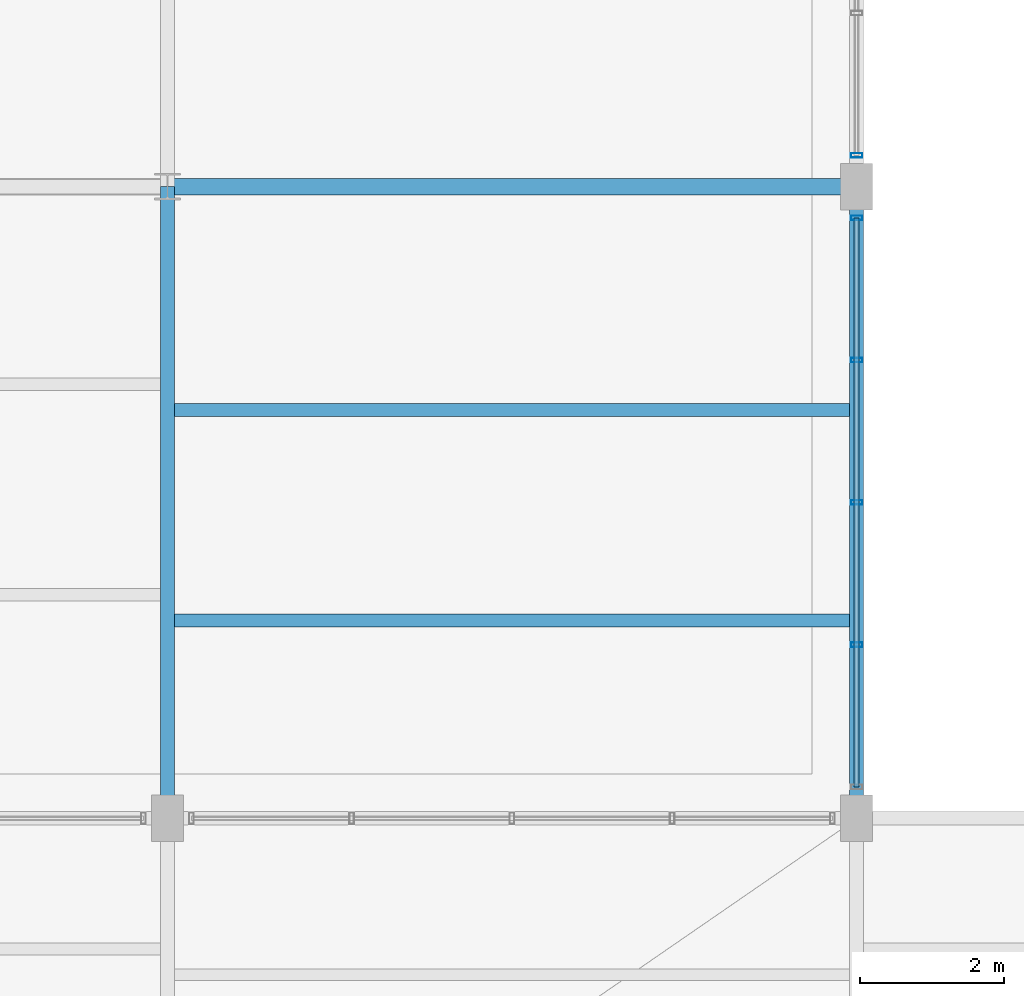
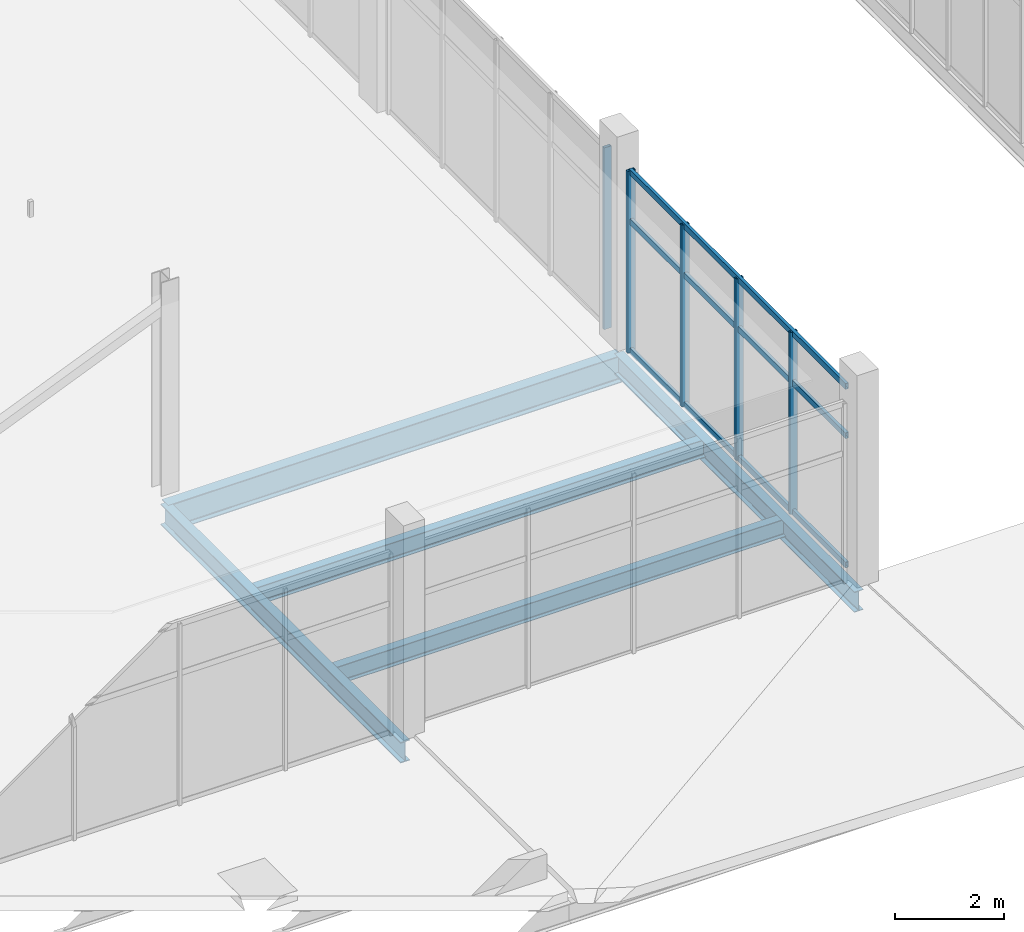
# One storey, part 26 of 157: 8 members, 5 beams, 2 elements without a shape of their own.
"""IFC4 building model written with IfcOpenShell, lengths in metres."""

from ifc_helpers import new_model, si_unit, direction, frame, origin, origin_2d, place, context, subcontext, project, spatial, hollow_rectangle, i_section, extrude, material, layer, layer_set, material_profile, profile_set, type_object, element, aggregate, save


model = new_model("IFC4")

# Units and contexts
model_context = context("Model", 3, precision=1e-05, world=origin(), true_north=direction((0.0, 1.0)))
body_context = subcontext(model_context, "Body", "Model", "MODEL_VIEW")
ifc_project = project(units=[si_unit("LENGTHUNIT", "METRE"), si_unit("AREAUNIT", "SQUARE_METRE"), si_unit("VOLUMEUNIT", "CUBIC_METRE"), si_unit("PLANEANGLEUNIT", "RADIAN"), si_unit("MASSUNIT", "GRAM", prefix="KILO")], contexts=[model_context])

# Site, building, storey
site_placement = place(None, origin())
site = spatial("IfcSite", under=ifc_project, at=site_placement, CompositionType="ELEMENT")
building_placement = place(site_placement, origin())
building = spatial("IfcBuilding", under=site, at=building_placement, Name="Chalmorin Arch Market", CompositionType="ELEMENT")
storey_placement = place(building_placement, frame((0.0, 0.0, 4.800048828125)))
storey = spatial("IfcBuildingStorey", under=building, at=storey_placement, Name="L01", CompositionType="ELEMENT", Elevation=4.800048828125)

# Curtain wall, members
ifc_material_1 = material(Name="Aluminium 6063-T6", Category="aluminium")
ifc_layer = layer(ifc_material_1, 0.159912109375)
ifc_layer_set = layer_set([ifc_layer], Name="Aluminium 6063-T6")
curtain_wall_type = type_object("IfcCurtainWallType", Name="RiverfrontStorefrontCurtainWall-CW2-7930x4070", PredefinedType="NOTDEFINED", material=ifc_layer_set)
curtain_wall_1_placement = place(storey_placement, origin())
curtain_wall_1 = element("IfcCurtainWall", 1, at=curtain_wall_1_placement, inside=storey, type_object=curtain_wall_type, Name="CW-02-098", PredefinedType="NOTDEFINED")
ifc_material_profile_1 = material_profile(ifc_material_1, hollow_rectangle(XDim=0.06494140625, YDim=0.159912109375, WallThickness=0.00390625, at=origin_2d()), Name="ALU65X160X4")
ifc_profile_set_1 = profile_set([ifc_material_profile_1], Name="Aluminium 6063-T6")
member_type_1 = type_object("IfcMemberType", Name="CurtainWallMullion-65x160", PredefinedType="MULLION", material=ifc_profile_set_1)
member_1_placement = place(storey_placement, frame((38.39990234375, 8.41748046875, 0.0), z_axis=(0.0, 0.0, 1.0), x_axis=(0.0, 1.0, 0.0)))
member_1 = element("IfcMember", 2, at=member_1_placement, type_object=member_type_1, Name="ML-098-02", PredefinedType="MULLION", context=body_context, shape_type="SweptSolid", body=[
    extrude(hollow_rectangle(XDim=0.06494140625, YDim=0.159912109375, WallThickness=0.00390625, at=origin_2d()), origin(), (0.0, 0.0, 1.0), 4.06591796875),
])
member_2_placement = place(storey_placement, frame((38.39990234375, 10.39990234375, 0.0), z_axis=(0.0, 0.0, 1.0), x_axis=(0.0, 1.0, 0.0)))
member_2 = element("IfcMember", 3, at=member_2_placement, type_object=member_type_1, Name="ML-098-03", PredefinedType="MULLION", context=body_context, shape_type="SweptSolid", body=[
    extrude(hollow_rectangle(XDim=0.06494140625, YDim=0.159912109375, WallThickness=0.00390625, at=origin_2d()), origin(), (0.0, 0.0, 1.0), 4.06591796875),
])
member_3_placement = place(storey_placement, frame((38.39990234375, 12.382568359375, 0.0), z_axis=(0.0, 0.0, 1.0), x_axis=(0.0, 1.0, 0.0)))
member_3 = element("IfcMember", 4, at=member_3_placement, type_object=member_type_1, Name="ML-098-04", PredefinedType="MULLION", context=body_context, shape_type="SweptSolid", body=[
    extrude(hollow_rectangle(XDim=0.06494140625, YDim=0.159912109375, WallThickness=0.00390625, at=origin_2d()), origin(), (0.0, 0.0, 1.0), 4.06591796875),
])
member_4_placement = place(storey_placement, frame((38.39990234375, 14.364990234375, 0.0), z_axis=(0.0, 0.0, 1.0), x_axis=(0.0, 1.0, 0.0)))
member_4 = element("IfcMember", 5, at=member_4_placement, type_object=member_type_1, Name="ML-098-05", PredefinedType="MULLION", context=body_context, shape_type="SweptSolid", body=[
    extrude(hollow_rectangle(XDim=0.06494140625, YDim=0.159912109375, WallThickness=0.00390625, at=origin_2d()), origin(), (0.0, 0.0, 1.0), 4.06591796875),
])

# Curtain wall, member
curtain_wall_2_placement = place(storey_placement, origin())
curtain_wall_2 = element("IfcCurtainWall", 6, at=curtain_wall_2_placement, inside=storey, type_object=curtain_wall_type, Name="CW-02-099", PredefinedType="NOTDEFINED")
member_5_placement = place(storey_placement, frame((38.39990234375, 15.235107421875, 0.0), z_axis=(0.0, 0.0, 1.0), x_axis=(0.0, 1.0, 0.0)))
member_5 = element("IfcMember", 7, at=member_5_placement, type_object=member_type_1, Name="ML-099-01", PredefinedType="MULLION", context=body_context, shape_type="SweptSolid", body=[
    extrude(hollow_rectangle(XDim=0.06494140625, YDim=0.159912109375, WallThickness=0.00390625, at=origin_2d()), origin(), (0.0, 0.0, 1.0), 4.06591796875),
])
aggregate(curtain_wall_2, [member_5])

# Member
ifc_material_profile_2 = material_profile(ifc_material_1, hollow_rectangle(XDim=0.06494140625, YDim=0.1298828125, WallThickness=0.00390625, at=origin_2d()), Name="ALU65X130X4")
ifc_profile_set_2 = profile_set([ifc_material_profile_2], Name="Aluminium 6063-T6")
member_type_2 = type_object("IfcMemberType", Name="CurtainWallTransom-65x130", PredefinedType="USERDEFINED", material=ifc_profile_set_2)
member_6_placement = place(storey_placement, frame((38.39990234375, 6.43505859375, 0.034912109375), z_axis=(0.0, 1.0, 0.0), x_axis=(-1.0, 0.0, 0.0)))
member_6 = element("IfcMember", 8, at=member_6_placement, type_object=member_type_2, Name="TR-098-01", ObjectType="TRANSOM", PredefinedType="USERDEFINED", context=body_context, shape_type="SweptSolid", body=[
    extrude(hollow_rectangle(XDim=0.06494140625, YDim=0.1298828125, WallThickness=0.00390625, at=origin_2d()), origin(), (0.0, 0.0, 1.0), 7.929931640625),
])

member_7_placement = place(storey_placement, frame((38.39990234375, 6.43505859375, 2.927490234375), z_axis=(0.0, 1.0, 0.0), x_axis=(-1.0, 0.0, 0.0)))
member_7 = element("IfcMember", 9, at=member_7_placement, type_object=member_type_2, Name="TR-098-02", ObjectType="TRANSOM", PredefinedType="USERDEFINED", context=body_context, shape_type="SweptSolid", body=[
    extrude(hollow_rectangle(XDim=0.06494140625, YDim=0.1298828125, WallThickness=0.00390625, at=origin_2d()), origin(), (0.0, 0.0, 1.0), 7.929931640625),
])

member_8_placement = place(storey_placement, frame((38.39990234375, 6.43505859375, 4.031005859375), z_axis=(0.0, 1.0, 0.0), x_axis=(-1.0, 0.0, 0.0)))
member_8 = element("IfcMember", 10, at=member_8_placement, type_object=member_type_2, Name="TR-098-03", ObjectType="TRANSOM", PredefinedType="USERDEFINED", context=body_context, shape_type="SweptSolid", body=[
    extrude(hollow_rectangle(XDim=0.06494140625, YDim=0.1298828125, WallThickness=0.00390625, at=origin_2d()), origin(), (0.0, 0.0, 1.0), 7.929931640625),
])

aggregate(curtain_wall_1, [member_1, member_2, member_3, member_4, member_6, member_7, member_8])

# Beams
ifc_material_2 = material(Name="Steel A992 Grade 50", Category="steel")
ifc_material_profile_3 = material_profile(ifc_material_2, i_section(OverallWidth=0.193115234375, OverallDepth=0.466064453125, WebThickness=0.011474609375, FlangeThickness=0.01904296875, FilletRadius=0.02001953125, at=origin_2d()), Name="W18X65")
ifc_profile_set_3 = profile_set([ifc_material_profile_3], Name="Steel A992 Grade 50")
beam_type_1 = type_object("IfcBeamType", Name="FloorSteelBeam-W18X65", PredefinedType="BEAM", material=ifc_profile_set_3)
beam_1_placement = place(storey_placement, frame((28.800048828125, 6.0, -0.51513671875), z_axis=(0.0, 1.0, 0.0), x_axis=(-1.0, 0.0, 0.0)))
element("IfcBeam", 11, at=beam_1_placement, inside=storey, type_object=beam_type_1, Name="BM-W18A-0825", PredefinedType="BEAM", context=body_context, shape_type="SweptSolid", body=[
    extrude(i_section(OverallWidth=0.193115234375, OverallDepth=0.466064453125, WebThickness=0.011474609375, FlangeThickness=0.01904296875, FilletRadius=0.02001953125, at=origin_2d()), origin(), (0.0, 0.0, 1.0), 8.800048828125),
])
ifc_material_profile_4 = material_profile(ifc_material_2, i_section(OverallWidth=0.19091796875, OverallDepth=0.45703125, WebThickness=0.009033203125, FlangeThickness=0.014404296875, FilletRadius=0.02001953125, at=origin_2d()), Name="W18X50")
ifc_profile_set_4 = profile_set([ifc_material_profile_4], Name="Steel A992 Grade 50")
beam_type_2 = type_object("IfcBeamType", Name="PerimeterSpandrelBeam-W18X50", PredefinedType="SPANDREL", material=ifc_profile_set_4)
beam_2_placement = place(storey_placement, frame((38.39990234375, 6.0, -0.510498046875), z_axis=(0.0, 1.0, 0.0), x_axis=(-1.0, 0.0, 0.0)))
element("IfcBeam", 12, at=beam_2_placement, inside=storey, type_object=beam_type_2, Name="SP-W18-0836", PredefinedType="SPANDREL", context=body_context, shape_type="SweptSolid", body=[
    extrude(i_section(OverallWidth=0.19091796875, OverallDepth=0.45703125, WebThickness=0.009033203125, FlangeThickness=0.014404296875, FilletRadius=0.02001953125, at=origin_2d()), origin(), (0.0, 0.0, 1.0), 8.800048828125),
])
ifc_material_profile_5 = material_profile(ifc_material_2, i_section(OverallWidth=0.22802734375, OverallDepth=0.60791015625, WebThickness=0.01123046875, FlangeThickness=0.017333984375, FilletRadius=0.02392578125, at=origin_2d()), Name="W24X76")
ifc_profile_set_5 = profile_set([ifc_material_profile_5], Name="Steel A992 Grade 50")
beam_type_3 = type_object("IfcBeamType", Name="PrimarySteelGirder-W24X76", PredefinedType="BEAM", material=ifc_profile_set_5)
beam_3_placement = place(storey_placement, frame((28.800048828125, 14.800048828125, -0.5859375), z_axis=(1.0, 0.0, 0.0), x_axis=(0.0, 1.0, 0.0)))
element("IfcBeam", 13, at=beam_3_placement, inside=storey, type_object=beam_type_3, Name="BG-W24B-0835", PredefinedType="BEAM", context=body_context, shape_type="SweptSolid", body=[
    extrude(i_section(OverallWidth=0.22802734375, OverallDepth=0.60791015625, WebThickness=0.01123046875, FlangeThickness=0.017333984375, FilletRadius=0.02392578125, at=origin_2d()), origin(), (0.0, 0.0, 1.0), 9.599853515625),
])
ifc_material_profile_6 = material_profile(ifc_material_2, i_section(OverallWidth=0.177978515625, OverallDepth=0.403076171875, WebThickness=0.007568359375, FlangeThickness=0.010986328125, FilletRadius=0.01806640625, at=origin_2d()), Name="W16X36")
ifc_profile_set_6 = profile_set([ifc_material_profile_6], Name="Steel A992 Grade 50")
beam_type_4 = type_object("IfcBeamType", Name="SecondaryFloorJoist-W16X36", PredefinedType="JOIST", material=ifc_profile_set_6)
for number, where, z_axis, x_axis, name in (
    (14, (28.800048828125, 8.75341796875, -0.483642578125), (1.0, 0.0, 0.0), (0.0, 1.0, 0.0), "BJ-W16B-0870"),
    (15, (28.800048828125, 11.686767578125, -0.483642578125), (1.0, 0.0, 0.0), (0.0, 1.0, 0.0), "BJ-W16B-0871"),
):
    element("IfcBeam", number, at=place(storey_placement, frame(where, z_axis=z_axis, x_axis=x_axis)), inside=storey, type_object=beam_type_4, Name=name, PredefinedType="JOIST", context=body_context, shape_type="SweptSolid", body=[
        extrude(i_section(OverallWidth=0.177978515625, OverallDepth=0.403076171875, WebThickness=0.007568359375, FlangeThickness=0.010986328125, FilletRadius=0.01806640625, at=origin_2d()), origin(), (0.0, 0.0, 1.0), 9.599853515625),
    ])

save(model, "model.ifc")
